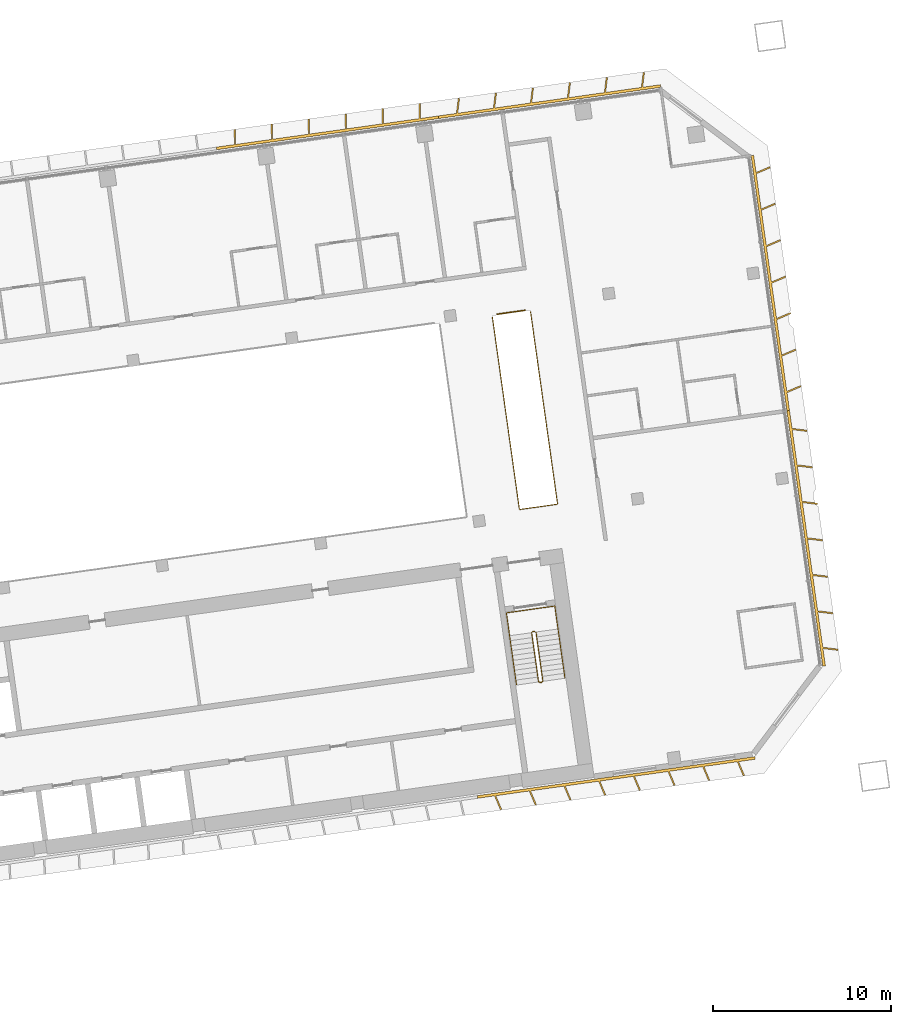
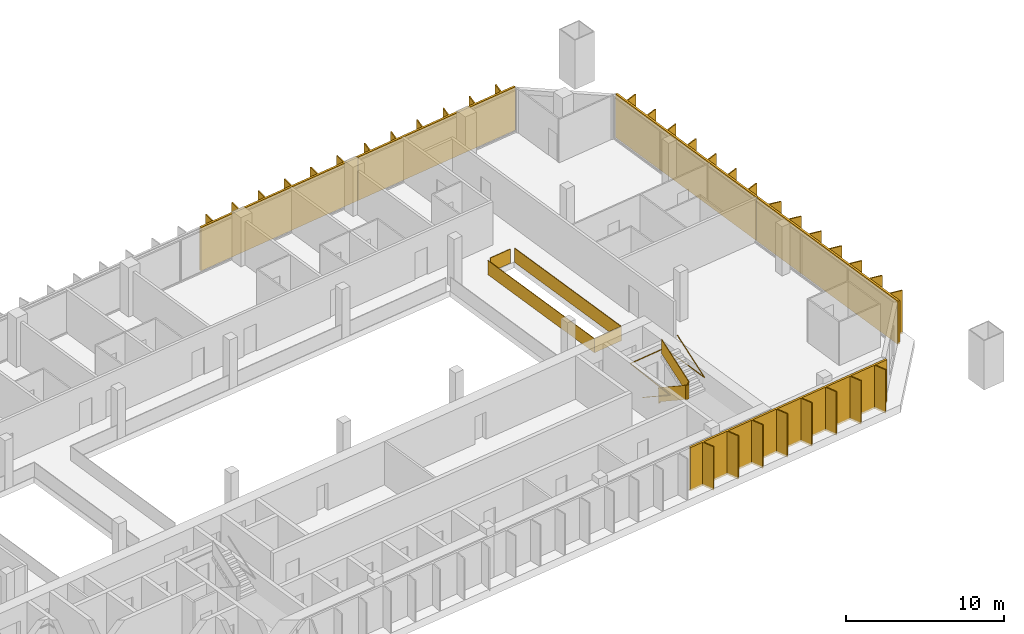
# One storey, part 25 of 25: 5 shading devices, 4 railings.
"""IFC4 building model written with IfcOpenShell, lengths in metres."""

from ifc_helpers import new_model, si_unit, direction, frame, origin, origin_2d, place, context, subcontext, project, spatial, polyline, rectangle, outline, extrude, material, type_object, element, save


model = new_model("IFC4")

# Units and contexts
model_context = context("Model", 3, precision=1e-05, world=origin(), true_north=direction((0.0, 1.0)))
body_context = subcontext(model_context, "Body", "Model", "MODEL_VIEW")
ifc_project = project(units=[si_unit("LENGTHUNIT", "METRE"), si_unit("AREAUNIT", "SQUARE_METRE"), si_unit("VOLUMEUNIT", "CUBIC_METRE"), si_unit("PLANEANGLEUNIT", "RADIAN"), si_unit("MASSUNIT", "GRAM", prefix="KILO")], contexts=[model_context])

# Site, building, storey
site_placement = place(None, origin())
site = spatial("IfcSite", under=ifc_project, at=site_placement, CompositionType="ELEMENT")
building_placement = place(site_placement, origin())
building = spatial("IfcBuilding", under=site, at=building_placement, Name="Mirante Cascada Hotel Towers", CompositionType="ELEMENT")
storey_placement = place(building_placement, frame((0.0, 0.0, 136.7)))
storey = spatial("IfcBuildingStorey", under=building, at=storey_placement, Name="L31", CompositionType="ELEMENT", Elevation=136.7)

# Railings
ifc_material_1 = material(Name="Toughened glass with stainless steel handrail", Category="steel")
railing_type_1 = type_object("IfcRailingType", Name="Atrium guard 1100 glass balustrade", PredefinedType="GUARDRAIL", material=ifc_material_1)
railing_1_placement = place(storey_placement, frame((84.7408, 13.3007, 0.0)))
element("IfcRailing", 1, at=railing_1_placement, inside=storey, type_object=railing_type_1, Name="GUARD 2-L31-3", PredefinedType="GUARDRAIL", context=body_context, shape_type="SweptSolid", body=[
    extrude(rectangle(XDim=0.048, YDim=0.048, at=origin_2d()), frame((0.0, 0.0, 1.076), z_axis=(0.1391712, -0.9902683, 0.0), x_axis=(0.9902683, 0.1391712, 0.0)), (0.0, 0.0, 1.0), 10.9333),
    extrude(rectangle(XDim=0.02, YDim=1.052, at=origin_2d()), frame((0.0, 0.0, 0.526), z_axis=(0.1391712, -0.9902683, 0.0), x_axis=(0.9902683, 0.1391712, 0.0)), (0.0, 0.0, 1.0), 10.9333),
    extrude(rectangle(XDim=0.048, YDim=0.048, at=origin_2d()), frame((1.5216, -10.8269, 1.076), z_axis=(0.9902724, 0.1391422, 0.0), x_axis=(-0.1391422, 0.9902724, 0.0)), (0.0, 0.0, 1.0), 2.1625),
    extrude(rectangle(XDim=0.02, YDim=1.052, at=origin_2d()), frame((1.5216, -10.8269, 0.526), z_axis=(0.9902724, 0.1391422, 0.0), x_axis=(-0.1391422, 0.9902724, 0.0)), (0.0, 0.0, 1.0), 2.1625),
    extrude(rectangle(XDim=0.048, YDim=0.048, at=origin_2d()), frame((3.6631, -10.526, 1.076), z_axis=(-0.1391801, 0.9902671, 0.0), x_axis=(-0.9902671, -0.1391801, 0.0)), (0.0, 0.0, 1.0), 10.9333),
    extrude(rectangle(XDim=0.02, YDim=1.052, at=origin_2d()), frame((3.6631, -10.526, 0.526), z_axis=(-0.1391801, 0.9902671, 0.0), x_axis=(-0.9902671, -0.1391801, 0.0)), (0.0, 0.0, 1.0), 10.9333),
])
railing_2_placement = place(storey_placement, frame((86.5924, 13.6788, 0.0)))
element("IfcRailing", 2, at=railing_2_placement, inside=storey, type_object=railing_type_1, Name="GUARD 2-L31-6", PredefinedType="GUARDRAIL", context=body_context, shape_type="SweptSolid", body=[
    extrude(rectangle(XDim=0.048, YDim=0.048, at=origin_2d()), frame((0.0, 0.0, 1.076), z_axis=(-0.9902552, -0.1392643, 0.0), x_axis=(0.1392643, -0.9902552, 0.0)), (0.0, 0.0, 1.0), 1.6099),
    extrude(rectangle(XDim=0.02, YDim=1.052, at=origin_2d()), frame((0.0, 0.0, 0.526), z_axis=(-0.9902552, -0.1392643, 0.0), x_axis=(0.1392643, -0.9902552, 0.0)), (0.0, 0.0, 1.0), 1.6099),
])
ifc_material_2 = material(Name="Painted steel", Category="steel")
railing_type_2 = type_object("IfcRailingType", Name="Stair guard 1100 steel balustrade", PredefinedType="GUARDRAIL", material=ifc_material_2)
railing_3_placement = place(storey_placement, frame((87.1361, -4.3713, 0.0)))
element("IfcRailing", 3, at=railing_3_placement, inside=storey, type_object=railing_type_2, Name="L31 ST2-C stair guard 1", PredefinedType="GUARDRAIL", context=body_context, shape_type="SweptSolid", body=[
    extrude(rectangle(XDim=0.048, YDim=0.048, at=origin_2d()), frame((0.0, 0.0, 1.076), z_axis=(-0.9902537, -0.1392753, 0.0), x_axis=(0.1392753, -0.9902537, 0.0)), (0.0, 0.0, 1.0), 0.1501),
    extrude(rectangle(XDim=0.02, YDim=1.052, at=origin_2d()), frame((0.0, 0.0, 0.526), z_axis=(-0.9902537, -0.1392753, 0.0), x_axis=(0.1392753, -0.9902537, 0.0)), (0.0, 0.0, 1.0), 0.1501),
    extrude(rectangle(XDim=0.048, YDim=0.048, at=origin_2d()), frame((-0.1486, -0.0209, 1.076), z_axis=(-0.601811, -0.7986386, 0.0), x_axis=(0.7986386, -0.601811, 0.0)), (0.0, 0.925603, 0.3784959), 0.1866),
    extrude(rectangle(XDim=0.02, YDim=1.052, at=origin_2d()), frame((-0.1486, -0.0209, 0.526), z_axis=(-0.601811, -0.7986386, 0.0), x_axis=(0.7986386, -0.601811, 0.0)), (0.0, 0.925603, 0.3784959), 0.1866),
    extrude(rectangle(XDim=0.048, YDim=0.048, at=origin_2d()), frame((-0.1911, -0.0773, 1.2487), z_axis=(0.139176, -0.9902677, 0.0), x_axis=(0.9902677, 0.139176, 0.0)), (0.0, 0.5250212, 0.8510891), 3.29),
    extrude(rectangle(XDim=0.02, YDim=1.052, at=origin_2d()), frame((-0.1911, -0.0773, 0.6987), z_axis=(0.139176, -0.9902677, 0.0), x_axis=(0.9902677, 0.139176, 0.0)), (0.0, 0.5250212, 0.8510891), 3.29),
    extrude(rectangle(XDim=0.048, YDim=0.048, at=origin_2d()), frame((0.1986, -2.8501, 2.976), z_axis=(0.9944441, -0.1052656, 0.0), x_axis=(0.1052656, 0.9944441, 0.0)), (0.0, 0.0, 1.0), 0.2061),
    extrude(rectangle(XDim=0.02, YDim=1.052, at=origin_2d()), frame((0.1986, -2.8501, 2.426), z_axis=(0.9944441, -0.1052656, 0.0), x_axis=(0.1052656, 0.9944441, 0.0)), (0.0, 0.0, 1.0), 0.2061),
    extrude(rectangle(XDim=0.048, YDim=0.048, at=origin_2d()), frame((0.4036, -2.8718, 2.976), z_axis=(-0.9903454, -0.1386217, 0.0), x_axis=(0.1386217, -0.9903454, 0.0)), (0.0, 0.0, 1.0), 0.15),
    extrude(rectangle(XDim=0.02, YDim=1.052, at=origin_2d()), frame((0.4036, -2.8718, 2.426), z_axis=(-0.9903454, -0.1386217, 0.0), x_axis=(0.1386217, -0.9903454, 0.0)), (0.0, 0.0, 1.0), 0.15),
    extrude(rectangle(XDim=0.048, YDim=0.048, at=origin_2d()), frame((0.255, -2.8926, 2.976), z_axis=(0.9270311, 0.3749843, 0.0), x_axis=(-0.3749843, 0.9270311, 0.0)), (0.0, 0.6421903, 0.7665452), 0.2689),
    extrude(rectangle(XDim=0.02, YDim=1.052, at=origin_2d()), frame((0.255, -2.8926, 2.426), z_axis=(0.9270311, 0.3749843, 0.0), x_axis=(-0.3749843, 0.9270311, 0.0)), (0.0, 0.6421903, 0.7665452), 0.2689),
    extrude(rectangle(XDim=0.048, YDim=0.048, at=origin_2d()), frame((0.4461, -2.8153, 3.1487), z_axis=(-0.139176, 0.9902677, 0.0), x_axis=(-0.9902677, -0.139176, 0.0)), (0.0, 0.5250212, 0.8510891), 3.29),
    extrude(rectangle(XDim=0.02, YDim=1.052, at=origin_2d()), frame((0.4461, -2.8153, 2.5987), z_axis=(-0.139176, 0.9902677, 0.0), x_axis=(-0.9902677, -0.139176, 0.0)), (0.0, 0.5250212, 0.8510891), 3.29),
])
ifc_material_3 = material(Name="Painted steel", Category="steel")
railing_type_3 = type_object("IfcRailingType", Name="Stair handrail 900 steel tube", PredefinedType="HANDRAIL", material=ifc_material_3)
railing_4_placement = place(storey_placement, frame((85.7071, -4.6226, 0.1727)))
element("IfcRailing", 4, at=railing_4_placement, inside=storey, type_object=railing_type_3, Name="L31 ST2-C stair handrail 1", PredefinedType="HANDRAIL", context=body_context, shape_type="SweptSolid", body=[
    extrude(rectangle(XDim=0.048, YDim=0.048, at=origin_2d()), frame((0.0, 0.0, 0.876), z_axis=(0.139181, -0.990267, 0.0), x_axis=(0.990267, 0.139181, 0.0)), (0.0, 0.5250347, 0.8510808), 3.2899),
    extrude(rectangle(XDim=0.048, YDim=0.048, at=origin_2d()), frame((0.3897, -2.7727, 2.6033), z_axis=(-0.1391707, 0.9902684, 0.0), x_axis=(-0.9902684, -0.1391707, 0.0)), (0.0, 0.0420846, 0.999114), 4.1036),
    extrude(rectangle(XDim=0.048, YDim=0.048, at=origin_2d()), frame((-0.1809, 1.2874, 2.776), z_axis=(0.9902691, 0.1391657, 0.0), x_axis=(-0.1391657, 0.9902691, 0.0)), (0.0, 0.0, 1.0), 2.75),
    extrude(rectangle(XDim=0.048, YDim=0.048, at=origin_2d()), frame((2.5423, 1.6701, 2.776), z_axis=(0.1391947, -0.990265, 0.0), x_axis=(0.990265, 0.1391947, 0.0)), (0.0, 0.0, 1.0), 4.1),
    extrude(rectangle(XDim=0.048, YDim=0.048, at=origin_2d()), frame((3.113, -2.39, 2.776), z_axis=(-0.139181, 0.990267, 0.0), x_axis=(-0.990267, -0.139181, 0.0)), (0.0, 0.5250347, 0.8510808), 3.2899),
])

# Shading devices
ifc_material_4 = material(Name="White precast concrete C50/60 fin", Category="concrete")
shading_device_type = type_object("IfcShadingDeviceType", Name="Vertical fin set 4500x900", PredefinedType="USERDEFINED", material=ifc_material_4)
shading_device_1_placement = place(storey_placement, origin())
element("IfcShadingDevice", 5, at=shading_device_1_placement, inside=storey, type_object=shading_device_type, Name="FIN T2 L31 front 1", ObjectType="FIN", PredefinedType="USERDEFINED", context=body_context, shape_type="SweptSolid", body=[
    extrude(outline(polyline([(82.8967, 25.5893), (82.7946, 24.758), (84.7922, 25.0387), (84.8968, 25.8913), (84.9762, 25.8815), (84.8742, 25.0503), (86.8717, 25.331), (86.9764, 26.1835), (87.0558, 26.1738), (86.9537, 25.3425), (88.9513, 25.6233), (89.056, 26.4758), (89.1354, 26.4661), (89.0333, 25.6348), (91.0308, 25.9155), (91.1355, 26.7681), (91.2149, 26.7583), (91.1129, 25.9271), (93.1104, 26.2078), (93.2151, 27.0603), (93.2945, 27.0506), (93.1924, 26.2193), (94.1779, 26.3578), (94.1988, 26.2093), (81.7214, 24.4557), (81.7006, 24.6042), (82.7126, 24.7465), (82.8173, 25.599), (82.8967, 25.5893)])), origin(), (0.0, 0.0, 1.0), 3.35),
])
shading_device_2_placement = place(storey_placement, origin())
element("IfcShadingDevice", 6, at=shading_device_2_placement, inside=storey, type_object=shading_device_type, Name="FIN T2 L31 front 2", ObjectType="FIN", PredefinedType="USERDEFINED", context=body_context, shape_type="SweptSolid", body=[
    extrude(outline(polyline([(70.3021, 23.8476), (70.3094, 23.0033), (72.3091, 23.2844), (72.3016, 24.1392), (72.3816, 24.1399), (72.389, 23.2956), (74.3886, 23.5766), (74.3812, 24.4314), (74.4612, 24.4321), (74.4686, 23.5878), (76.4682, 23.8689), (76.4608, 24.7237), (76.5407, 24.7244), (76.5481, 23.8801), (78.5478, 24.1611), (78.5403, 25.0159), (78.6203, 25.0166), (78.6277, 24.1724), (80.6273, 24.4534), (80.6199, 25.3082), (80.6999, 25.3089), (80.7072, 24.4646), (81.7006, 24.6042), (81.7214, 24.4557), (69.2441, 22.7021), (69.2232, 22.8507), (70.2295, 22.9921), (70.2221, 23.8469), (70.3021, 23.8476)])), origin(), (0.0, 0.0, 1.0), 3.35),
])
shading_device_3_placement = place(storey_placement, origin())
element("IfcShadingDevice", 7, at=shading_device_3_placement, inside=storey, type_object=shading_device_type, Name="FIN T2 L31 outer 1", ObjectType="FIN", PredefinedType="USERDEFINED", context=body_context, shape_type="SweptSolid", body=[
    extrude(outline(polyline([(104.1606, -5.4483), (103.3293, -5.3462), (103.4659, -6.3175), (103.3173, -6.3384), (101.2993, 8.0205), (101.4478, 8.0413), (101.5881, 7.0434), (102.4406, 6.9388), (102.4309, 6.8594), (101.5996, 6.9614), (101.8764, 4.9922), (102.7289, 4.8875), (102.7192, 4.8081), (101.8879, 4.9102), (102.1647, 2.9409), (103.0172, 2.8362), (103.0075, 2.7568), (102.1762, 2.8589), (102.4529, 0.8896), (103.3055, 0.785), (103.2957, 0.7056), (102.4645, 0.8076), (102.7412, -1.1616), (103.5938, -1.2663), (103.584, -1.3457), (102.7528, -1.2436), (103.0295, -3.2129), (103.8821, -3.3176), (103.8723, -3.397), (103.041, -3.2949), (103.3178, -5.2642), (104.1704, -5.3689), (104.1606, -5.4483)])), origin(), (0.0, 0.0, 1.0), 3.35),
])
shading_device_4_placement = place(storey_placement, origin())
element("IfcShadingDevice", 8, at=shading_device_4_placement, inside=storey, type_object=shading_device_type, Name="FIN T2 L31 outer 2", ObjectType="FIN", PredefinedType="USERDEFINED", context=body_context, shape_type="SweptSolid", body=[
    extrude(outline(polyline([(102.0983, 9.3749), (101.3076, 9.0392), (101.4478, 8.0413), (101.2993, 8.0205), (99.2813, 22.3794), (99.4298, 22.4002), (99.5663, 21.4289), (100.3373, 21.7561), (100.3685, 21.6825), (99.5779, 21.3469), (99.8546, 19.3776), (100.6256, 19.7048), (100.6568, 19.6312), (99.8662, 19.2956), (100.1429, 17.3263), (100.9139, 17.6536), (100.9451, 17.5799), (100.1544, 17.2443), (100.4312, 15.2751), (101.2021, 15.6023), (101.2334, 15.5287), (100.4427, 15.193), (100.7195, 13.2238), (101.4904, 13.551), (101.5217, 13.4774), (100.731, 13.1418), (101.0078, 11.1725), (101.7787, 11.4998), (101.81, 11.4261), (101.0193, 11.0905), (101.2961, 9.1212), (102.067, 9.4485), (102.0983, 9.3749)])), origin(), (0.0, 0.0, 1.0), 3.35),
])
shading_device_5_placement = place(storey_placement, origin())
element("IfcShadingDevice", 9, at=shading_device_5_placement, inside=storey, type_object=shading_device_type, Name="FIN T2 L31 rear 4", ObjectType="FIN", PredefinedType="USERDEFINED", context=body_context, shape_type="SweptSolid", body=[
    extrude(outline(polyline([(85.1942, -14.419), (84.8586, -13.6283), (83.9115, -13.7614), (83.8907, -13.6129), (99.4874, -11.4209), (99.5083, -11.5694), (98.5877, -11.6988), (98.915, -12.4698), (98.8413, -12.501), (98.5057, -11.7103), (96.6381, -11.9728), (96.9654, -12.7438), (96.8918, -12.775), (96.5561, -11.9843), (94.6886, -12.2468), (95.0158, -13.0178), (94.9422, -13.049), (94.6065, -12.2583), (92.739, -12.5208), (93.0662, -13.2918), (92.9926, -13.323), (92.657, -12.5323), (90.7894, -12.7948), (91.1166, -13.5657), (91.043, -13.597), (90.7074, -12.8063), (88.8398, -13.0688), (89.167, -13.8397), (89.0934, -13.871), (88.7578, -13.0803), (86.8902, -13.3428), (87.2174, -14.1137), (87.1438, -14.145), (86.8082, -13.3543), (84.9406, -13.6168), (85.2679, -14.3877), (85.1942, -14.419)])), origin(), (0.0, 0.0, 1.0), 3.35),
])

save(model, "model.ifc")
